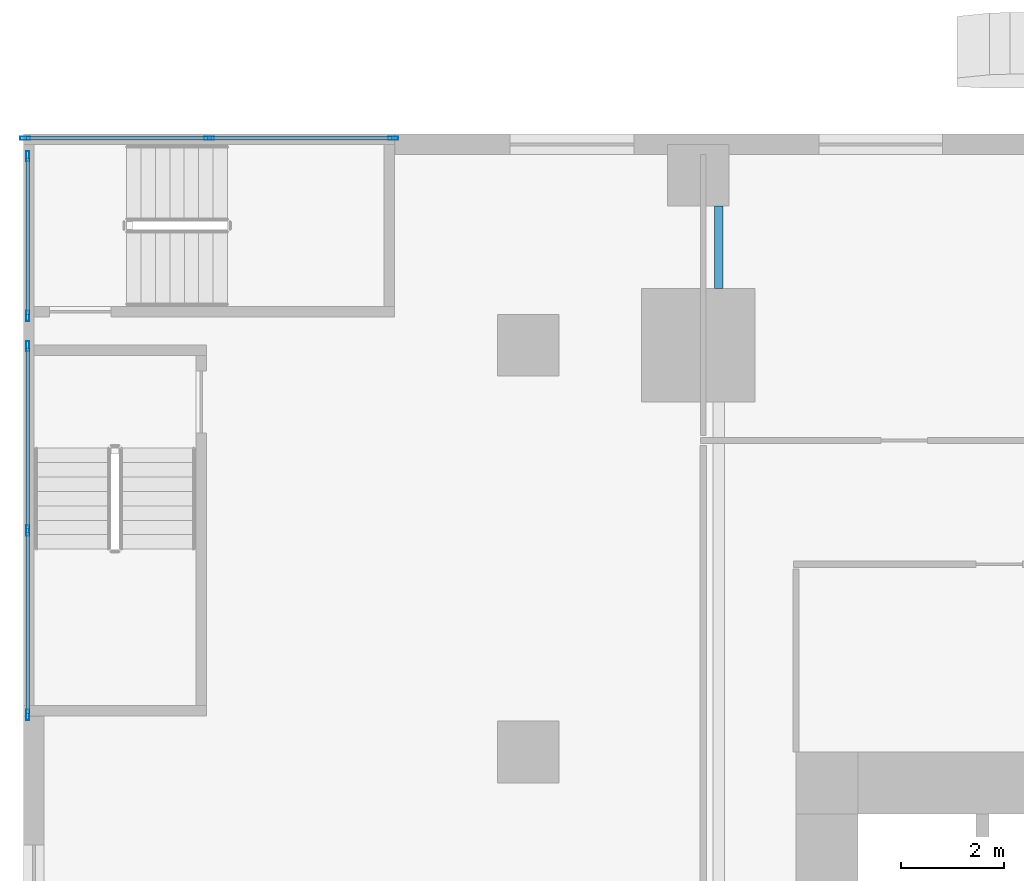
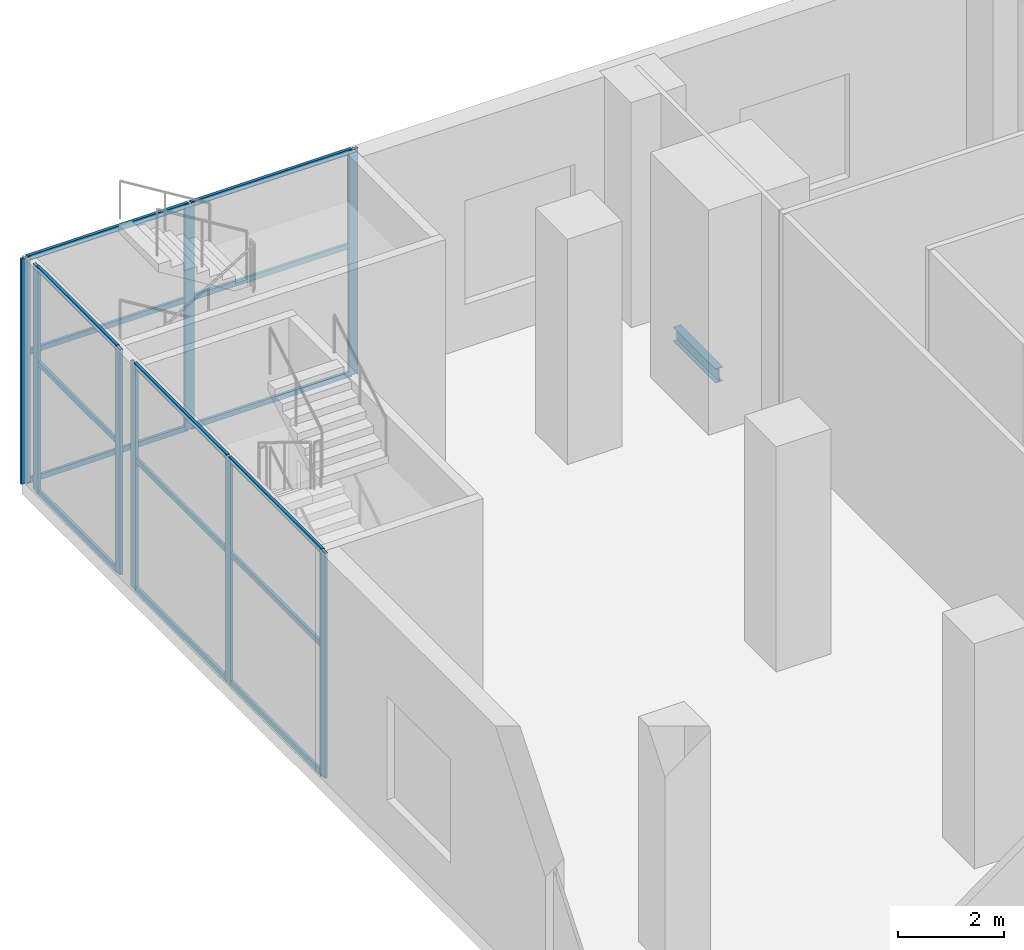
# One storey, part 4 of 23: 23 members, 1 beam, 3 elements without a shape of their own.
"""IFC4 building model written with IfcOpenShell, lengths in metres."""

from ifc_helpers import new_model, si_unit, direction, frame, origin, origin_2d, place, context, subcontext, project, spatial, hollow_rectangle, i_section, extrude, source, transform, mapped, material, material_profile, profile_set, type_object, element, aggregate, save


model = new_model("IFC4")

# Units and contexts
model_context = context("Model", 3, precision=1e-05, world=origin(), true_north=direction((0.0, 1.0)))
body_context = subcontext(model_context, "Body", "Model", "MODEL_VIEW")
ifc_project = project(units=[si_unit("LENGTHUNIT", "METRE"), si_unit("AREAUNIT", "SQUARE_METRE"), si_unit("VOLUMEUNIT", "CUBIC_METRE"), si_unit("PLANEANGLEUNIT", "RADIAN"), si_unit("MASSUNIT", "GRAM", prefix="KILO")], contexts=[model_context])

# Site, building, storey
site_placement = place(None, origin())
site = spatial("IfcSite", under=ifc_project, at=site_placement, CompositionType="ELEMENT")
building_placement = place(site_placement, origin())
building = spatial("IfcBuilding", under=site, at=building_placement, Name="Khomas Fold Tower", CompositionType="ELEMENT")
storey_placement = place(building_placement, frame((0.0, 0.0, 7.5)))
storey = spatial("IfcBuildingStorey", under=building, at=storey_placement, Name="L01", CompositionType="ELEMENT", Elevation=7.5)

# Beam
ifc_material_1 = material(Name="Steel S355", Category="steel")
ifc_material_profile_1 = material_profile(ifc_material_1, i_section(OverallWidth=0.159912109375, OverallDepth=0.330078125, WebThickness=0.007568359375, FlangeThickness=0.011474609375, at=origin_2d()), Name="IPE 330")
ifc_profile_set_1 = profile_set([ifc_material_profile_1], Name="Steel S355")
beam_type = type_object("IfcBeamType", Name="IPE 330 beam JB1", PredefinedType="BEAM", material=ifc_profile_set_1)
shared_shape_1 = source(origin(), body_context, "Body", "SweptSolid", [
    extrude(i_section(OverallWidth=0.159912109375, OverallDepth=0.330078125, WebThickness=0.007568359375, FlangeThickness=0.011474609375, at=origin_2d()), origin(), (0.0, 0.0, 1.0), 1.60009765625),
])
beam_placement = place(storey_placement, frame((4.5, 51.0, -0.465087890625), z_axis=(0.0, 1.0, 0.0), x_axis=(-1.0, 0.0, 0.0)))
element("IfcBeam", 1, at=beam_placement, inside=storey, type_object=beam_type, Name="JB1", PredefinedType="BEAM", context=body_context, shape_type="MappedRepresentation", body=[
    mapped(shared_shape_1, transform((0.0, 0.0, 0.0))),
])

# Curtain wall, members
ifc_material_2 = material(Name="Aluminium framed double glazing", Category="aluminium")
curtain_wall_type = type_object("IfcCurtainWallType", Name="Shopfront glazing PD-CW", PredefinedType="NOTDEFINED", material=ifc_material_2)
curtain_wall_1_placement = place(storey_placement, origin())
curtain_wall_1 = element("IfcCurtainWall", 2, at=curtain_wall_1_placement, inside=storey, type_object=curtain_wall_type, Name="Podium stair-tower glazing", PredefinedType="NOTDEFINED")
ifc_material_3 = material(Name="Aluminium", Category="aluminium")
ifc_material_profile_2 = material_profile(ifc_material_3, hollow_rectangle(XDim=0.06005859375, YDim=0.199951171875, WallThickness=0.00390625, at=origin_2d()), Name="Shopfront glazing mullion PD-CW-M")
ifc_profile_set_2 = profile_set([ifc_material_profile_2], Name="Aluminium")
member_type_1 = type_object("IfcMemberType", Name="Shopfront glazing mullion PD-CW-M", PredefinedType="MULLION", material=ifc_profile_set_2)
shared_shape_2 = source(origin(), body_context, "Body", "SweptSolid", [
    extrude(hollow_rectangle(XDim=0.06005859375, YDim=0.199951171875, WallThickness=0.00390625, at=origin_2d()), origin(), (0.0, 0.0, 1.0), 5.199951171875),
])
member_1_placement = place(storey_placement, frame((-8.919921875, 53.570068359375, 0.0), z_axis=(0.0, 0.0, 1.0), x_axis=(1.0, 0.0, 0.0)))
member_1 = element("IfcMember", 3, at=member_1_placement, type_object=member_type_1, Name="PD-CW mullion 1", PredefinedType="MULLION", context=body_context, shape_type="MappedRepresentation", body=[
    mapped(shared_shape_2, transform((0.0, 0.0, 0.0))),
])
member_2_placement = place(storey_placement, frame((-8.919921875, 50.469970703125, 0.0), z_axis=(0.0, 0.0, 1.0), x_axis=(1.0, 0.0, 0.0)))
member_2 = element("IfcMember", 4, at=member_2_placement, type_object=member_type_1, Name="PD-CW mullion 2", PredefinedType="MULLION", context=body_context, shape_type="MappedRepresentation", body=[
    mapped(shared_shape_2, transform((0.0, 0.0, 0.0))),
])

curtain_wall_2_placement = place(storey_placement, origin())
curtain_wall_2 = element("IfcCurtainWall", 5, at=curtain_wall_2_placement, inside=storey, type_object=curtain_wall_type, Name="Podium stair-tower glazing", PredefinedType="NOTDEFINED")
member_3_placement = place(storey_placement, frame((-8.919921875, 49.8798828125, 0.0), z_axis=(0.0, 0.0, 1.0), x_axis=(1.0, 0.0, 0.0)))
member_3 = element("IfcMember", 6, at=member_3_placement, type_object=member_type_1, Name="PD-CW mullion 1", PredefinedType="MULLION", context=body_context, shape_type="MappedRepresentation", body=[
    mapped(shared_shape_2, transform((0.0, 0.0, 0.0))),
])
member_4_placement = place(storey_placement, frame((-8.919921875, 46.300048828125, 0.0), z_axis=(0.0, 0.0, 1.0), x_axis=(1.0, 0.0, 0.0)))
member_4 = element("IfcMember", 7, at=member_4_placement, type_object=member_type_1, Name="PD-CW mullion 2", PredefinedType="MULLION", context=body_context, shape_type="MappedRepresentation", body=[
    mapped(shared_shape_2, transform((0.0, 0.0, 0.0))),
])
member_5_placement = place(storey_placement, frame((-8.919921875, 42.719970703125, 0.0), z_axis=(0.0, 0.0, 1.0), x_axis=(1.0, 0.0, 0.0)))
member_5 = element("IfcMember", 8, at=member_5_placement, type_object=member_type_1, Name="PD-CW mullion 3", PredefinedType="MULLION", context=body_context, shape_type="MappedRepresentation", body=[
    mapped(shared_shape_2, transform((0.0, 0.0, 0.0))),
])

curtain_wall_3_placement = place(storey_placement, origin())
curtain_wall_3 = element("IfcCurtainWall", 9, at=curtain_wall_3_placement, inside=storey, type_object=curtain_wall_type, Name="Podium stair-tower glazing", PredefinedType="NOTDEFINED")
member_6_placement = place(storey_placement, frame((-1.820068359375, 53.919921875, 0.0), z_axis=(0.0, 0.0, 1.0), x_axis=(0.0, -1.0, 0.0)))
member_6 = element("IfcMember", 10, at=member_6_placement, type_object=member_type_1, Name="PD-CW mullion 1", PredefinedType="MULLION", context=body_context, shape_type="MappedRepresentation", body=[
    mapped(shared_shape_2, transform((0.0, 0.0, 0.0))),
])
member_7_placement = place(storey_placement, frame((-5.39501953125, 53.919921875, 0.0), z_axis=(0.0, 0.0, 1.0), x_axis=(0.0, -1.0, 0.0)))
member_7 = element("IfcMember", 11, at=member_7_placement, type_object=member_type_1, Name="PD-CW mullion 2", PredefinedType="MULLION", context=body_context, shape_type="MappedRepresentation", body=[
    mapped(shared_shape_2, transform((0.0, 0.0, 0.0))),
])
member_8_placement = place(storey_placement, frame((-8.969970703125, 53.919921875, 0.0), z_axis=(0.0, 0.0, 1.0), x_axis=(0.0, -1.0, 0.0)))
member_8 = element("IfcMember", 12, at=member_8_placement, type_object=member_type_1, Name="PD-CW mullion 3", PredefinedType="MULLION", context=body_context, shape_type="MappedRepresentation", body=[
    mapped(shared_shape_2, transform((0.0, 0.0, 0.0))),
])

# Member
ifc_material_4 = material(Name="Aluminium", Category="aluminium")
ifc_material_profile_3 = material_profile(ifc_material_4, hollow_rectangle(XDim=0.06005859375, YDim=0.1201171875, WallThickness=0.00390625, at=origin_2d()), Name="Shopfront glazing transom PD-CW-T")
ifc_profile_set_3 = profile_set([ifc_material_profile_3], Name="Aluminium")
member_type_2 = type_object("IfcMemberType", Name="Shopfront glazing transom PD-CW-T", PredefinedType="USERDEFINED", material=ifc_profile_set_3)
shared_shape_3 = source(origin(), body_context, "Body", "SweptSolid", [
    extrude(hollow_rectangle(XDim=0.06005859375, YDim=0.1201171875, WallThickness=0.00390625, at=origin_2d()), origin(), (0.0, 0.0, 1.0), 3.0400390625),
])
member_9_placement = place(storey_placement, frame((-8.919921875, 53.5400390625, 0.030029296875), z_axis=(0.0, -1.0, 0.0), x_axis=(1.0, 0.0, 0.0)))
member_9 = element("IfcMember", 13, at=member_9_placement, type_object=member_type_2, Name="PD-CW transom 1.1", ObjectType="TRANSOM", PredefinedType="USERDEFINED", context=body_context, shape_type="MappedRepresentation", body=[
    mapped(shared_shape_3, transform((0.0, 0.0, 0.0))),
])

member_10_placement = place(storey_placement, frame((-8.919921875, 53.5400390625, 3.0), z_axis=(0.0, -1.0, 0.0), x_axis=(1.0, 0.0, 0.0)))
member_10 = element("IfcMember", 14, at=member_10_placement, type_object=member_type_2, Name="PD-CW transom 1.2", ObjectType="TRANSOM", PredefinedType="USERDEFINED", context=body_context, shape_type="MappedRepresentation", body=[
    mapped(shared_shape_3, transform((0.0, 0.0, 0.0))),
])

member_11_placement = place(storey_placement, frame((-8.919921875, 53.5400390625, 5.169921875), z_axis=(0.0, -1.0, 0.0), x_axis=(1.0, 0.0, 0.0)))
member_11 = element("IfcMember", 15, at=member_11_placement, type_object=member_type_2, Name="PD-CW transom 1.3", ObjectType="TRANSOM", PredefinedType="USERDEFINED", context=body_context, shape_type="MappedRepresentation", body=[
    mapped(shared_shape_3, transform((0.0, 0.0, 0.0))),
])

aggregate(curtain_wall_1, [member_1, member_2, member_9, member_10, member_11])

shared_shape_4 = source(origin(), body_context, "Body", "SweptSolid", [
    extrude(hollow_rectangle(XDim=0.06005859375, YDim=0.1201171875, WallThickness=0.00390625, at=origin_2d()), origin(), (0.0, 0.0, 1.0), 3.52001953125),
])
member_12_placement = place(storey_placement, frame((-8.919921875, 49.85009765625, 0.030029296875), z_axis=(0.0, -1.0, 0.0), x_axis=(1.0, 0.0, 0.0)))
member_12 = element("IfcMember", 16, at=member_12_placement, type_object=member_type_2, Name="PD-CW transom 1.1", ObjectType="TRANSOM", PredefinedType="USERDEFINED", context=body_context, shape_type="MappedRepresentation", body=[
    mapped(shared_shape_4, transform((0.0, 0.0, 0.0))),
])

member_13_placement = place(storey_placement, frame((-8.919921875, 49.85009765625, 3.0), z_axis=(0.0, -1.0, 0.0), x_axis=(1.0, 0.0, 0.0)))
member_13 = element("IfcMember", 17, at=member_13_placement, type_object=member_type_2, Name="PD-CW transom 1.2", ObjectType="TRANSOM", PredefinedType="USERDEFINED", context=body_context, shape_type="MappedRepresentation", body=[
    mapped(shared_shape_4, transform((0.0, 0.0, 0.0))),
])

member_14_placement = place(storey_placement, frame((-8.919921875, 49.85009765625, 5.169921875), z_axis=(0.0, -1.0, 0.0), x_axis=(1.0, 0.0, 0.0)))
member_14 = element("IfcMember", 18, at=member_14_placement, type_object=member_type_2, Name="PD-CW transom 1.3", ObjectType="TRANSOM", PredefinedType="USERDEFINED", context=body_context, shape_type="MappedRepresentation", body=[
    mapped(shared_shape_4, transform((0.0, 0.0, 0.0))),
])

member_15_placement = place(storey_placement, frame((-8.919921875, 46.27001953125, 0.030029296875), z_axis=(0.0, -1.0, 0.0), x_axis=(1.0, 0.0, 0.0)))
member_15 = element("IfcMember", 19, at=member_15_placement, type_object=member_type_2, Name="PD-CW transom 2.1", ObjectType="TRANSOM", PredefinedType="USERDEFINED", context=body_context, shape_type="MappedRepresentation", body=[
    mapped(shared_shape_4, transform((0.0, 0.0, 0.0))),
])

member_16_placement = place(storey_placement, frame((-8.919921875, 46.27001953125, 3.0), z_axis=(0.0, -1.0, 0.0), x_axis=(1.0, 0.0, 0.0)))
member_16 = element("IfcMember", 20, at=member_16_placement, type_object=member_type_2, Name="PD-CW transom 2.2", ObjectType="TRANSOM", PredefinedType="USERDEFINED", context=body_context, shape_type="MappedRepresentation", body=[
    mapped(shared_shape_4, transform((0.0, 0.0, 0.0))),
])

member_17_placement = place(storey_placement, frame((-8.919921875, 46.27001953125, 5.169921875), z_axis=(0.0, -1.0, 0.0), x_axis=(1.0, 0.0, 0.0)))
member_17 = element("IfcMember", 21, at=member_17_placement, type_object=member_type_2, Name="PD-CW transom 2.3", ObjectType="TRANSOM", PredefinedType="USERDEFINED", context=body_context, shape_type="MappedRepresentation", body=[
    mapped(shared_shape_4, transform((0.0, 0.0, 0.0))),
])

aggregate(curtain_wall_2, [member_3, member_4, member_5, member_12, member_13, member_14, member_15, member_16, member_17])

shared_shape_5 = source(origin(), body_context, "Body", "SweptSolid", [
    extrude(hollow_rectangle(XDim=0.06005859375, YDim=0.1201171875, WallThickness=0.00390625, at=origin_2d()), origin(), (0.0, 0.0, 1.0), 3.514892578125),
])
member_18_placement = place(storey_placement, frame((-1.85009765625, 53.919921875, 0.030029296875), z_axis=(-1.0, 0.0, 0.0), x_axis=(0.0, -1.0, 0.0)))
member_18 = element("IfcMember", 22, at=member_18_placement, type_object=member_type_2, Name="PD-CW transom 1.1", ObjectType="TRANSOM", PredefinedType="USERDEFINED", context=body_context, shape_type="MappedRepresentation", body=[
    mapped(shared_shape_5, transform((0.0, 0.0, 0.0))),
])

member_19_placement = place(storey_placement, frame((-1.85009765625, 53.919921875, 3.0), z_axis=(-1.0, 0.0, 0.0), x_axis=(0.0, -1.0, 0.0)))
member_19 = element("IfcMember", 23, at=member_19_placement, type_object=member_type_2, Name="PD-CW transom 1.2", ObjectType="TRANSOM", PredefinedType="USERDEFINED", context=body_context, shape_type="MappedRepresentation", body=[
    mapped(shared_shape_5, transform((0.0, 0.0, 0.0))),
])

member_20_placement = place(storey_placement, frame((-1.85009765625, 53.919921875, 5.169921875), z_axis=(-1.0, 0.0, 0.0), x_axis=(0.0, -1.0, 0.0)))
member_20 = element("IfcMember", 24, at=member_20_placement, type_object=member_type_2, Name="PD-CW transom 1.3", ObjectType="TRANSOM", PredefinedType="USERDEFINED", context=body_context, shape_type="MappedRepresentation", body=[
    mapped(shared_shape_5, transform((0.0, 0.0, 0.0))),
])

member_21_placement = place(storey_placement, frame((-5.425048828125, 53.919921875, 0.030029296875), z_axis=(-1.0, 0.0, 0.0), x_axis=(0.0, -1.0, 0.0)))
member_21 = element("IfcMember", 25, at=member_21_placement, type_object=member_type_2, Name="PD-CW transom 2.1", ObjectType="TRANSOM", PredefinedType="USERDEFINED", context=body_context, shape_type="MappedRepresentation", body=[
    mapped(shared_shape_5, transform((0.0, 0.0, 0.0))),
])

member_22_placement = place(storey_placement, frame((-5.425048828125, 53.919921875, 3.0), z_axis=(-1.0, 0.0, 0.0), x_axis=(0.0, -1.0, 0.0)))
member_22 = element("IfcMember", 26, at=member_22_placement, type_object=member_type_2, Name="PD-CW transom 2.2", ObjectType="TRANSOM", PredefinedType="USERDEFINED", context=body_context, shape_type="MappedRepresentation", body=[
    mapped(shared_shape_5, transform((0.0, 0.0, 0.0))),
])

member_23_placement = place(storey_placement, frame((-5.425048828125, 53.919921875, 5.169921875), z_axis=(-1.0, 0.0, 0.0), x_axis=(0.0, -1.0, 0.0)))
member_23 = element("IfcMember", 27, at=member_23_placement, type_object=member_type_2, Name="PD-CW transom 2.3", ObjectType="TRANSOM", PredefinedType="USERDEFINED", context=body_context, shape_type="MappedRepresentation", body=[
    mapped(shared_shape_5, transform((0.0, 0.0, 0.0))),
])

aggregate(curtain_wall_3, [member_6, member_7, member_8, member_18, member_19, member_20, member_21, member_22, member_23])

save(model, "model.ifc")
